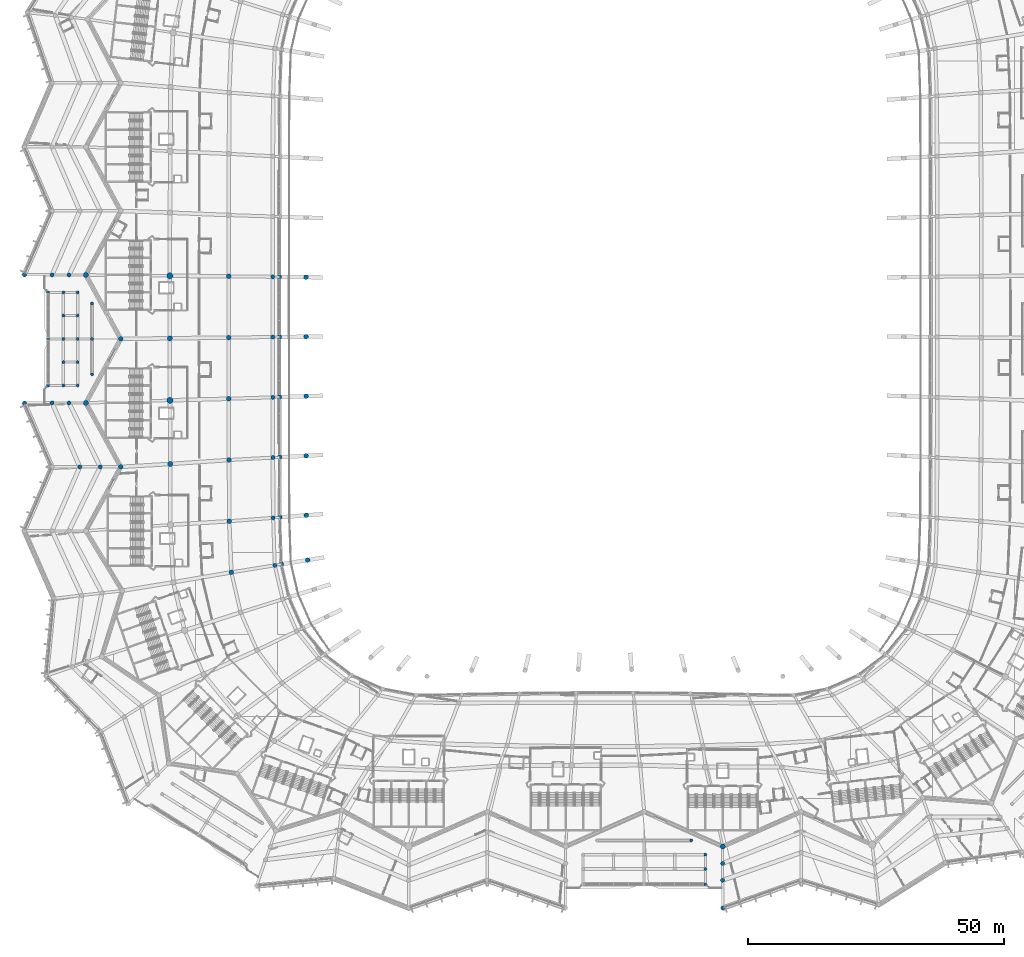
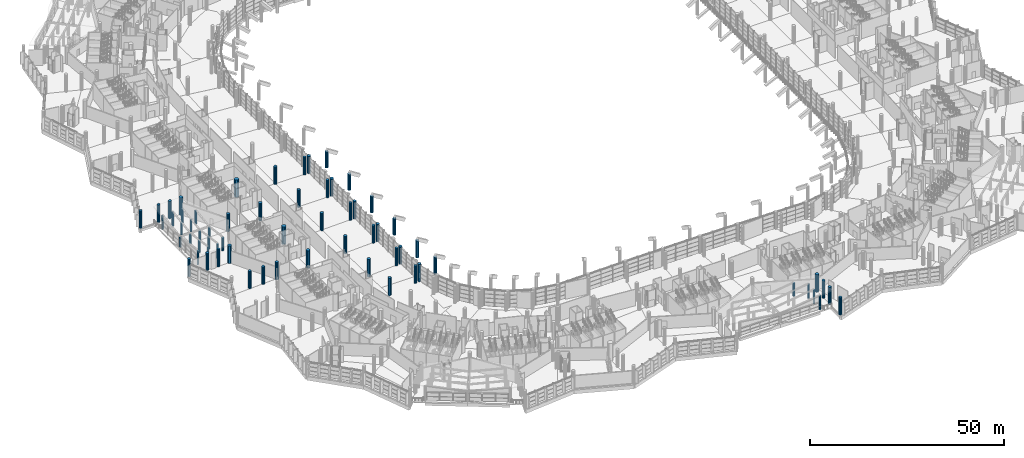
# One storey, part 2 of 271: 64 columns.
"""IFC4 building model written with IfcOpenShell, lengths in metres."""

import ifcopenshell
import ifcopenshell.guid

model = None  # the IFC model being written
_history = None  # IfcOwnerHistory: only IFC2X3 demands one
_inside = {}  # id of a spatial element -> (the spatial element, [elements in it])
_under = {}  # id of a project, library or spatial element -> (it, [spatial elements below it])
_declared = {}  # id of a project -> (the project, [libraries it declares])
_typed = {}  # id of a type object -> (the type object, [elements of that type])
_made_of = {}  # id of a material, layer set ... -> (it, [elements and type objects made of it])


def new_model(schema):
    """Start an empty IFC model of exactly this schema.

    Asked for "IFC4X3", IfcOpenShell would pick the latest addendum, in which some entities
    have other attributes; the version numbers below select the first issue.
    IFC2X3 requires an IfcOwnerHistory on every rooted entity: one is made here for all.
    """
    global model, _history
    if schema == "IFC4X3":
        model = ifcopenshell.file(schema_version=(4, 3, 0, 0))
    else:
        model = ifcopenshell.file(schema=schema)
    _inside.clear()
    _under.clear()
    _declared.clear()
    _typed.clear()
    _made_of.clear()
    _history = None
    if model.schema == "IFC2X3":
        org = make("IfcOrganization", Name="unknown")
        user = make(
            "IfcPersonAndOrganization",
            ThePerson=make("IfcPerson", FamilyName="unknown"),
            TheOrganization=org,
        )
        app = make(
            "IfcApplication",
            ApplicationDeveloper=org,
            Version="unknown",
            ApplicationFullName="unknown",
            ApplicationIdentifier="unknown",
        )
        _history = make(
            "IfcOwnerHistory",
            OwningUser=user,
            OwningApplication=app,
            ChangeAction="ADDED",
            CreationDate=0,
        )
    return model


def make(cls, **values):
    """One entity of the class cls with the attributes given. An attribute that is None is left unset."""
    return model.create_entity(
        cls, **{name: value for name, value in values.items() if value is not None}
    )


def rooted(cls, **values):
    """An entity with a GlobalId (a new one), such as an element, a storey or a relation."""
    return make(cls, GlobalId=ifcopenshell.guid.new(), OwnerHistory=_history, **values)


def si_unit(unit_type, name, prefix=None):
    """IfcSIUnit, for example si_unit("LENGTHUNIT", "METRE", prefix="MILLI")."""
    return make("IfcSIUnit", UnitType=unit_type, Prefix=prefix, Name=name)


def assignment(units):
    """IfcUnitAssignment: the units of a project."""
    return None if units is None else make("IfcUnitAssignment", Units=units)


def point(xyz):
    """IfcCartesianPoint."""
    return None if xyz is None else make("IfcCartesianPoint", Coordinates=xyz)


def direction(xyz):
    """IfcDirection."""
    return None if xyz is None else make("IfcDirection", DirectionRatios=xyz)


def frame(location, z_axis=None, x_axis=None):
    """IfcAxis2Placement3D, a coordinate frame: its origin and axes. An axis left out is left unset."""
    return make(
        "IfcAxis2Placement3D",
        Location=point(location),
        Axis=direction(z_axis),
        RefDirection=direction(x_axis),
    )


def frame_2d(location, x_axis=None):
    """IfcAxis2Placement2D, a coordinate frame in the plane: its origin and x axis."""
    return make(
        "IfcAxis2Placement2D", Location=point(location), RefDirection=direction(x_axis)
    )


def origin():
    """The frame at (0, 0, 0) with its axes left unset."""
    return frame((0.0, 0.0, 0.0))


def origin_2d():
    """The frame at (0, 0) in the plane with its x axis left unset."""
    return frame_2d((0.0, 0.0))


def place(relative_to, where):
    """IfcLocalPlacement: puts the frame where relative to a parent placement (None: the world)."""
    return make(
        "IfcLocalPlacement", PlacementRelTo=relative_to, RelativePlacement=where
    )


def context(
    kind, dimensions, precision=None, world=None, true_north=None, identifier=None
):
    """IfcGeometricRepresentationContext, for example the 3D "Model" context."""
    return make(
        "IfcGeometricRepresentationContext",
        ContextIdentifier=identifier,
        ContextType=kind,
        CoordinateSpaceDimension=dimensions,
        Precision=precision,
        WorldCoordinateSystem=world,
        TrueNorth=true_north,
    )


def subcontext(parent, identifier, kind, view, scale=None):
    """IfcGeometricRepresentationSubContext, for example "Body" below "Model"."""
    return make(
        "IfcGeometricRepresentationSubContext",
        ContextIdentifier=identifier,
        ContextType=kind,
        ParentContext=parent,
        TargetScale=scale,
        TargetView=view,
    )


def project(units=None, contexts=None):
    """IfcProject with its units and contexts."""
    return rooted(
        "IfcProject",
        Name="project",
        RepresentationContexts=contexts,
        UnitsInContext=assignment(units),
    )


def spatial(cls, under=None, at=None, **own):
    """A site, building, storey or space (cls), placed at a placement, below another one or the project."""
    s = rooted(cls, ObjectPlacement=at, **own)
    if under is not None:
        _under.setdefault(under.id(), (under, []))[1].append(s)
    return s


def profile(cls, at=None, kind="AREA", **sizes):
    """A parametric profile (cls). Its sizes go by their IFC names, for example OverallWidth=200.0."""
    return make(cls, ProfileType=kind, Position=at, **sizes)


def circle(**sizes):
    """IfcCircleProfileDef."""
    return profile("IfcCircleProfileDef", **sizes)


def extrude(swept, where, along, depth):
    """IfcExtrudedAreaSolid: the profile swept, set in the frame where, extruded along a direction by depth."""
    return make(
        "IfcExtrudedAreaSolid",
        SweptArea=swept,
        Position=where,
        ExtrudedDirection=direction(along),
        Depth=depth,
    )


def shape(context_of_items, identifier, shape_type, items):
    """IfcShapeRepresentation: the items that make up one representation, for example the "Body"."""
    return make(
        "IfcShapeRepresentation",
        ContextOfItems=context_of_items,
        RepresentationIdentifier=identifier,
        RepresentationType=shape_type,
        Items=items,
    )


def material(Name=None, Category=None):
    """IfcMaterial."""
    return make("IfcMaterial", Name=Name, Category=Category)


def material_profile(
    of_material, cross_section, Name=None, Category=None, Priority=None
):
    """IfcMaterialProfile: a cross section and its material."""
    return make(
        "IfcMaterialProfile",
        Name=Name,
        Material=of_material,
        Profile=cross_section,
        Priority=Priority,
        Category=Category,
    )


def profile_set(profiles, Name=None, composite=None):
    """IfcMaterialProfileSet."""
    return make(
        "IfcMaterialProfileSet",
        Name=Name,
        MaterialProfiles=profiles,
        CompositeProfile=composite,
    )


def made_of(thing, what):
    """Note that an element or type object is made of a material, layer set ...; save() writes the relation."""
    if what is not None:
        _made_of.setdefault(what.id(), (what, []))[1].append(thing)
    return thing


def type_object(cls, material=None, **own):
    """A type object (cls), such as IfcWallType, which elements share."""
    return made_of(rooted(cls, **own), material)


def element(
    cls,
    number,
    at=None,
    inside=None,
    cuts=None,
    type_object=None,
    material=None,
    context=None,
    identifier="Body",
    shape_type=None,
    held_by="IfcProductDefinitionShape",
    body=None,
    shapes=None,
    **own,
):
    """One element of the class cls, such as IfcWall. Its Tag is "e" and its number.

    at: its placement. inside: the storey or other place that contains it. cuts: it is an
    opening in that element (IfcRelVoidsElement). A single representation is given by context,
    identifier, shape_type and body (its items); several are given by shapes. held_by: the class
    of the entity that holds the representations. save() writes the other relations.
    """
    e = rooted(cls, Tag="e%d" % number, ObjectPlacement=at, **own)
    if body is not None:
        shapes = [shape(context, identifier, shape_type, body)]
    if shapes is not None:
        e.Representation = make(held_by, Representations=shapes)
    if inside is not None:
        _inside.setdefault(inside.id(), (inside, []))[1].append(e)
    if cuts is not None:
        rooted(
            "IfcRelVoidsElement", RelatingBuildingElement=cuts, RelatedOpeningElement=e
        )
    if type_object is not None:
        _typed.setdefault(type_object.id(), (type_object, []))[1].append(e)
    return made_of(e, material)


def aggregate(whole, parts):
    """IfcRelAggregates: a whole, such as a stair, and the parts it consists of."""
    return rooted("IfcRelAggregates", RelatingObject=whole, RelatedObjects=parts)


def save(model, path):
    """Write the relations noted so far, then the file.

    IfcRelAggregates (storeys below a building ...), IfcRelContainedInSpatialStructure (elements
    in a storey), IfcRelDefinesByType, IfcRelAssociatesMaterial and IfcRelDeclares: one each for
    every whole, place, type object, material and project.
    """
    for whole, parts in _under.values():
        aggregate(whole, parts)
    for where, things in _inside.values():
        rooted(
            "IfcRelContainedInSpatialStructure",
            RelatedElements=things,
            RelatingStructure=where,
        )
    for kind, things in _typed.values():
        rooted("IfcRelDefinesByType", RelatedObjects=things, RelatingType=kind)
    for what, things in _made_of.values():
        rooted("IfcRelAssociatesMaterial", RelatedObjects=things, RelatingMaterial=what)
    for by, libraries in _declared.values():
        rooted("IfcRelDeclares", RelatingContext=by, RelatedDefinitions=libraries)
    model.write(path)


model = new_model("IFC4")

# Units and contexts
model_context = context("Model", 3, precision=1e-05, world=origin(), true_north=direction((0.0, 1.0)))
body_context = subcontext(model_context, "Body", "Model", "MODEL_VIEW")
ifc_project = project(units=[si_unit("LENGTHUNIT", "METRE"), si_unit("AREAUNIT", "SQUARE_METRE"), si_unit("VOLUMEUNIT", "CUBIC_METRE"), si_unit("PLANEANGLEUNIT", "RADIAN"), si_unit("MASSUNIT", "GRAM", prefix="KILO")], contexts=[model_context])

# Site, building, storey
site_placement = place(None, origin())
site = spatial("IfcSite", under=ifc_project, at=site_placement, CompositionType="ELEMENT")
building_placement = place(site_placement, origin())
building = spatial("IfcBuilding", under=site, at=building_placement, Name="Meseta Stadium", CompositionType="ELEMENT")
storey_placement = place(building_placement, frame((0.0, 0.0, 6.5)))
storey = spatial("IfcBuildingStorey", under=building, at=storey_placement, Name="L01", CompositionType="ELEMENT", Elevation=6.5)

# Columns
ifc_material_1 = material(Name="Concrete C40/50", Category="concrete")
ifc_material_profile_1 = material_profile(ifc_material_1, circle(Radius=0.300048828125, at=origin_2d()), Name="RC D600")
ifc_profile_set_1 = profile_set([ifc_material_profile_1], Name="Concrete C40/50")
column_type_1 = type_object("IfcColumnType", Name="Gate column D600", PredefinedType="COLUMN", material=ifc_profile_set_1)
column_1_placement = place(storey_placement, frame((-100.199951171875, 0.66748046875, 0.0), z_axis=(0.0, 0.0, 1.0), x_axis=(1.0, 0.0, 0.0)))
element("IfcColumn", 1, at=column_1_placement, inside=storey, type_object=column_type_1, Name="Gate 5 column L01", PredefinedType="COLUMN", context=body_context, shape_type="SweptSolid", body=[
    extrude(circle(Radius=0.300048828125, at=origin_2d()), origin(), (0.0, 0.0, 1.0), 4.146484375),
])
column_2_placement = place(storey_placement, frame((-100.199951171875, -6.25, 0.0), z_axis=(0.0, 0.0, 1.0), x_axis=(1.0, 0.0, 0.0)))
element("IfcColumn", 2, at=column_2_placement, inside=storey, type_object=column_type_1, Name="Gate 5 column L01", PredefinedType="COLUMN", context=body_context, shape_type="SweptSolid", body=[
    extrude(circle(Radius=0.300048828125, at=origin_2d()), origin(), (0.0, 0.0, 1.0), 3.177978515625),
])
column_3_placement = place(storey_placement, frame((-100.199951171875, -13.16748046875, 0.0), z_axis=(0.0, 0.0, 1.0), x_axis=(1.0, 0.0, 0.0)))
element("IfcColumn", 3, at=column_3_placement, inside=storey, type_object=column_type_1, Name="Gate 5 column L01", PredefinedType="COLUMN", context=body_context, shape_type="SweptSolid", body=[
    extrude(circle(Radius=0.300048828125, at=origin_2d()), origin(), (0.0, 0.0, 1.0), 4.146484375),
])
column_4_placement = place(storey_placement, frame((-103.0, 2.85009765625, 0.0), z_axis=(0.0, 0.0, 1.0), x_axis=(1.0, 0.0, 0.0)))
element("IfcColumn", 4, at=column_4_placement, inside=storey, type_object=column_type_1, Name="Gate 5 column L01", PredefinedType="COLUMN", context=body_context, shape_type="SweptSolid", body=[
    extrude(circle(Radius=0.300048828125, at=origin_2d()), origin(), (0.0, 0.0, 1.0), 4.39599609375),
])
column_5_placement = place(storey_placement, frame((-103.0, -1.699951171875, 0.0), z_axis=(0.0, 0.0, 1.0), x_axis=(1.0, 0.0, 0.0)))
element("IfcColumn", 5, at=column_5_placement, inside=storey, type_object=column_type_1, Name="Gate 5 column L01", PredefinedType="COLUMN", context=body_context, shape_type="SweptSolid", body=[
    extrude(circle(Radius=0.300048828125, at=origin_2d()), origin(), (0.0, 0.0, 1.0), 3.759033203125),
])
column_6_placement = place(storey_placement, frame((-103.0, -6.25, 0.0), z_axis=(0.0, 0.0, 1.0), x_axis=(1.0, 0.0, 0.0)))
element("IfcColumn", 6, at=column_6_placement, inside=storey, type_object=column_type_1, Name="Gate 5 column L01", PredefinedType="COLUMN", context=body_context, shape_type="SweptSolid", body=[
    extrude(circle(Radius=0.300048828125, at=origin_2d()), origin(), (0.0, 0.0, 1.0), 3.1220703125),
])
column_7_placement = place(storey_placement, frame((-103.0, -10.800048828125, 0.0), z_axis=(0.0, 0.0, 1.0), x_axis=(1.0, 0.0, 0.0)))
element("IfcColumn", 7, at=column_7_placement, inside=storey, type_object=column_type_1, Name="Gate 5 column L01", PredefinedType="COLUMN", context=body_context, shape_type="SweptSolid", body=[
    extrude(circle(Radius=0.300048828125, at=origin_2d()), origin(), (0.0, 0.0, 1.0), 3.759033203125),
])
column_8_placement = place(storey_placement, frame((-103.0, -15.35009765625, 0.0), z_axis=(0.0, 0.0, 1.0), x_axis=(1.0, 0.0, 0.0)))
element("IfcColumn", 8, at=column_8_placement, inside=storey, type_object=column_type_1, Name="Gate 5 column L01", PredefinedType="COLUMN", context=body_context, shape_type="SweptSolid", body=[
    extrude(circle(Radius=0.300048828125, at=origin_2d()), origin(), (0.0, 0.0, 1.0), 4.39599609375),
])
column_9_placement = place(storey_placement, frame((-105.800048828125, 2.85009765625, 0.0), z_axis=(0.0, 0.0, 1.0), x_axis=(1.0, 0.0, 0.0)))
element("IfcColumn", 9, at=column_9_placement, inside=storey, type_object=column_type_1, Name="Gate 5 column L01", PredefinedType="COLUMN", context=body_context, shape_type="SweptSolid", body=[
    extrude(circle(Radius=0.300048828125, at=origin_2d()), origin(), (0.0, 0.0, 1.0), 4.340087890625),
])
column_10_placement = place(storey_placement, frame((-105.800048828125, -1.699951171875, 0.0), z_axis=(0.0, 0.0, 1.0), x_axis=(1.0, 0.0, 0.0)))
element("IfcColumn", 10, at=column_10_placement, inside=storey, type_object=column_type_1, Name="Gate 5 column L01", PredefinedType="COLUMN", context=body_context, shape_type="SweptSolid", body=[
    extrude(circle(Radius=0.300048828125, at=origin_2d()), origin(), (0.0, 0.0, 1.0), 3.702880859375),
])
column_11_placement = place(storey_placement, frame((-105.800048828125, -6.25, 0.0), z_axis=(0.0, 0.0, 1.0), x_axis=(1.0, 0.0, 0.0)))
element("IfcColumn", 11, at=column_11_placement, inside=storey, type_object=column_type_1, Name="Gate 5 column L01", PredefinedType="COLUMN", context=body_context, shape_type="SweptSolid", body=[
    extrude(circle(Radius=0.300048828125, at=origin_2d()), origin(), (0.0, 0.0, 1.0), 3.06591796875),
])
column_12_placement = place(storey_placement, frame((-105.800048828125, -10.800048828125, 0.0), z_axis=(0.0, 0.0, 1.0), x_axis=(1.0, 0.0, 0.0)))
element("IfcColumn", 12, at=column_12_placement, inside=storey, type_object=column_type_1, Name="Gate 5 column L01", PredefinedType="COLUMN", context=body_context, shape_type="SweptSolid", body=[
    extrude(circle(Radius=0.300048828125, at=origin_2d()), origin(), (0.0, 0.0, 1.0), 3.702880859375),
])
column_13_placement = place(storey_placement, frame((-105.800048828125, -15.35009765625, 0.0), z_axis=(0.0, 0.0, 1.0), x_axis=(1.0, 0.0, 0.0)))
element("IfcColumn", 13, at=column_13_placement, inside=storey, type_object=column_type_1, Name="Gate 5 column L01", PredefinedType="COLUMN", context=body_context, shape_type="SweptSolid", body=[
    extrude(circle(Radius=0.300048828125, at=origin_2d()), origin(), (0.0, 0.0, 1.0), 4.340087890625),
])
column_14_placement = place(storey_placement, frame((-108.800048828125, 2.85009765625, 0.0), z_axis=(0.0, 0.0, 1.0), x_axis=(1.0, 0.0, 0.0)))
element("IfcColumn", 14, at=column_14_placement, inside=storey, type_object=column_type_1, Name="Gate 5 column L01", PredefinedType="COLUMN", context=body_context, shape_type="SweptSolid", body=[
    extrude(circle(Radius=0.300048828125, at=origin_2d()), origin(), (0.0, 0.0, 1.0), 4.280029296875),
])
column_15_placement = place(storey_placement, frame((-108.800048828125, -6.25, 0.0), z_axis=(0.0, 0.0, 1.0), x_axis=(1.0, 0.0, 0.0)))
element("IfcColumn", 15, at=column_15_placement, inside=storey, type_object=column_type_1, Name="Gate 5 column L01", PredefinedType="COLUMN", context=body_context, shape_type="SweptSolid", body=[
    extrude(circle(Radius=0.300048828125, at=origin_2d()), origin(), (0.0, 0.0, 1.0), 3.006103515625),
])
column_16_placement = place(storey_placement, frame((-108.800048828125, -15.35009765625, 0.0), z_axis=(0.0, 0.0, 1.0), x_axis=(1.0, 0.0, 0.0)))
element("IfcColumn", 16, at=column_16_placement, inside=storey, type_object=column_type_1, Name="Gate 5 column L01", PredefinedType="COLUMN", context=body_context, shape_type="SweptSolid", body=[
    extrude(circle(Radius=0.300048828125, at=origin_2d()), origin(), (0.0, 0.0, 1.0), 4.280029296875),
])
column_17_placement = place(storey_placement, frame((16.85009765625, -104.199951171875, 0.0), z_axis=(0.0, 0.0, 1.0), x_axis=(1.0, 0.0, 0.0)))
element("IfcColumn", 17, at=column_17_placement, inside=storey, type_object=column_type_1, Name="Gate 7 column L01", PredefinedType="COLUMN", context=body_context, shape_type="SweptSolid", body=[
    extrude(circle(Radius=0.300048828125, at=origin_2d()), origin(), (0.0, 0.0, 1.0), 4.06689453125),
])
column_18_placement = place(storey_placement, frame((19.60009765625, -107.0, 0.0), z_axis=(0.0, 0.0, 1.0), x_axis=(1.0, 0.0, 0.0)))
element("IfcColumn", 18, at=column_18_placement, inside=storey, type_object=column_type_1, Name="Gate 7 column L01", PredefinedType="COLUMN", context=body_context, shape_type="SweptSolid", body=[
    extrude(circle(Radius=0.300048828125, at=origin_2d()), origin(), (0.0, 0.0, 1.0), 4.39599609375),
])
column_19_placement = place(storey_placement, frame((19.60009765625, -109.800048828125, 0.0), z_axis=(0.0, 0.0, 1.0), x_axis=(1.0, 0.0, 0.0)))
element("IfcColumn", 19, at=column_19_placement, inside=storey, type_object=column_type_1, Name="Gate 7 column L01", PredefinedType="COLUMN", context=body_context, shape_type="SweptSolid", body=[
    extrude(circle(Radius=0.300048828125, at=origin_2d()), origin(), (0.0, 0.0, 1.0), 4.340087890625),
])
column_20_placement = place(storey_placement, frame((19.60009765625, -112.800048828125, 0.0), z_axis=(0.0, 0.0, 1.0), x_axis=(1.0, 0.0, 0.0)))
element("IfcColumn", 20, at=column_20_placement, inside=storey, type_object=column_type_1, Name="Gate 7 column L01", PredefinedType="COLUMN", context=body_context, shape_type="SweptSolid", body=[
    extrude(circle(Radius=0.300048828125, at=origin_2d()), origin(), (0.0, 0.0, 1.0), 4.280029296875),
])
ifc_material_2 = material(Name="Concrete C40/50", Category="concrete")
ifc_material_profile_2 = material_profile(ifc_material_2, circle(Radius=0.5, at=origin_2d()), Name="RC D1000")
ifc_profile_set_2 = profile_set([ifc_material_profile_2], Name="Concrete C40/50")
column_type_2 = type_object("IfcColumnType", Name="RC column D1000", PredefinedType="COLUMN", material=ifc_profile_set_2)
for number, where, z_axis, x_axis, name in (
    (21, (-101.39990234375, 6.25, 0.0), (0.0, 0.0, 1.0), (1.0, 0.0, 0.0), "Column C10 L01 frame 32 line R"),
    (22, (-84.9970703125, -6.13720703125, 0.0), (0.0, 0.0, 1.0), (1.0, 0.0, 0.0), "Column C10 L01 frame 33 line P"),
    (23, (-101.39990234375, -18.75, 0.0), (0.0, 0.0, 1.0), (1.0, 0.0, 0.0), "Column C10 L01 frame 34 line R"),
    (24, (-84.92529296875, -30.681640625, 0.0), (0.0, 0.0, 1.0), (1.0, 0.0, 0.0), "Column C10 L01 frame 35 line P"),
    (25, (23.0, -105.39990234375, 0.0), (0.0, 0.0, 1.0), (1.0, 0.0, 0.0), "Column C10 L01 frame 48 line R"),
):
    element("IfcColumn", number, at=place(storey_placement, frame(where, z_axis=z_axis, x_axis=x_axis)), inside=storey, type_object=column_type_2, Name=name, PredefinedType="COLUMN", context=body_context, shape_type="SweptSolid", body=[
        extrude(circle(Radius=0.5, at=origin_2d()), origin(), (0.0, 0.0, 1.0), 5.5),
    ])
ifc_material_3 = material(Name="Concrete C40/50", Category="concrete")
ifc_material_profile_3 = material_profile(ifc_material_3, circle(Radius=0.60009765625, at=origin_2d()), Name="RC D1200")
ifc_profile_set_3 = profile_set([ifc_material_profile_3], Name="Concrete C40/50")
column_type_3 = type_object("IfcColumnType", Name="RC column D1200", PredefinedType="COLUMN", material=ifc_profile_set_3)
for number, where, z_axis, x_axis, name in (
    (26, (-84.99755859375, 6.081298828125, 0.0), (0.0, 0.0, 1.0), (1.0, 0.0, 0.0), "Column C12 L01 frame 32 line P"),
    (27, (-84.978515625, -18.24365234375, 0.0), (0.0, 0.0, 1.0), (1.0, 0.0, 0.0), "Column C12 L01 frame 34 line P"),
):
    element("IfcColumn", number, at=place(storey_placement, frame(where, z_axis=z_axis, x_axis=x_axis)), inside=storey, type_object=column_type_3, Name=name, PredefinedType="COLUMN", context=body_context, shape_type="SweptSolid", body=[
        extrude(circle(Radius=0.60009765625, at=origin_2d()), origin(), (0.0, 0.0, 1.0), 5.5),
    ])
ifc_material_4 = material(Name="Concrete C40/50", Category="concrete")
ifc_material_profile_4 = material_profile(ifc_material_4, circle(Radius=0.39990234375, at=origin_2d()), Name="RC D800")
ifc_profile_set_4 = profile_set([ifc_material_profile_4], Name="Concrete C40/50")
column_type_4 = type_object("IfcColumnType", Name="RC column D800", PredefinedType="COLUMN", material=ifc_profile_set_4)
for number, where, z_axis, x_axis, name in (
    (28, (-64.898681640625, 5.886962890625, 0.0), (0.0, 0.0, 1.0), (1.0, 0.0, 0.0), "Column C8 L01 frame 32 line D"),
    (29, (-64.898681640625, -5.886962890625, 0.0), (0.0, 0.0, 1.0), (1.0, 0.0, 0.0), "Column C8 L01 frame 33 line D"),
    (30, (-64.886962890625, -17.66064453125, 0.0), (0.0, 0.0, 1.0), (1.0, 0.0, 0.0), "Column C8 L01 frame 34 line D"),
    (31, (-64.8642578125, -29.433349609375, 0.0), (0.0, 0.0, 1.0), (1.0, 0.0, 0.0), "Column C8 L01 frame 35 line D"),
    (32, (-64.829833984375, -41.2041015625, 0.0), (0.0, 0.0, 1.0), (1.0, 0.0, 0.0), "Column C8 L01 frame 36 line D"),
    (33, (-64.501708984375, -50.479736328125, 0.0), (0.0, 0.0, 1.0), (1.0, 0.0, 0.0), "Column C8 L01 frame 37 line D"),
    (34, (-104.699951171875, 6.25, 0.0), (0.0, 0.0, 1.0), (1.0, 0.0, 0.0), "Ring column C8 L01 frame 32 line M"),
    (35, (-108.0, 6.25, 0.0), (0.0, 0.0, 1.0), (1.0, 0.0, 0.0), "Ring column C8 L01 frame 32 line Q"),
    (36, (-113.39990234375, 6.25, 0.0), (0.0, 0.0, 1.0), (1.0, 0.0, 0.0), "Ring column C8 L01 frame 32 line O"),
    (37, (-104.699951171875, -18.75, 0.0), (0.0, 0.0, 1.0), (1.0, 0.0, 0.0), "Ring column C8 L01 frame 34 line M"),
    (38, (-108.0, -18.75, 0.0), (0.0, 0.0, 1.0), (1.0, 0.0, 0.0), "Ring column C8 L01 frame 34 line Q"),
    (39, (-113.39990234375, -18.75, 0.0), (0.0, 0.0, 1.0), (1.0, 0.0, 0.0), "Ring column C8 L01 frame 34 line O"),
    (40, (-98.60009765625, -31.25, 0.0), (0.0, 0.0, 1.0), (1.0, 0.0, 0.0), "Ring column C8 L01 frame 35 line M"),
    (41, (-102.60009765625, -31.25, 0.0), (0.0, 0.0, 1.0), (1.0, 0.0, 0.0), "Ring column C8 L01 frame 35 line Q"),
    (42, (23.0, -108.699951171875, 0.0), (0.0, 0.0, 1.0), (1.0, 0.0, 0.0), "Ring column C8 L01 frame 48 line M"),
    (43, (23.0, -112.0, 0.0), (0.0, 0.0, 1.0), (1.0, 0.0, 0.0), "Ring column C8 L01 frame 48 line Q"),
    (44, (23.0, -117.39990234375, 0.0), (0.0, 0.0, 1.0), (1.0, 0.0, 0.0), "Ring column C8 L01 frame 48 line O"),
):
    element("IfcColumn", number, at=place(storey_placement, frame(where, z_axis=z_axis, x_axis=x_axis)), inside=storey, type_object=column_type_4, Name=name, PredefinedType="COLUMN", context=body_context, shape_type="SweptSolid", body=[
        extrude(circle(Radius=0.39990234375, at=origin_2d()), origin(), (0.0, 0.0, 1.0), 5.5),
    ])
ifc_material_5 = material(Name="Concrete C40/50", Category="concrete")
ifc_material_profile_5 = material_profile(ifc_material_5, circle(Radius=0.449951171875, at=origin_2d()), Name="RC D900")
ifc_profile_set_5 = profile_set([ifc_material_profile_5], Name="Concrete C40/50")
column_type_5 = type_object("IfcColumnType", Name="RC column D900", PredefinedType="COLUMN", material=ifc_profile_set_5)
column_21_placement = place(storey_placement, frame((-58.39892578125, 5.815673828125, 0.0), z_axis=(0.0, 0.0, 1.0), x_axis=(1.0, 0.0, 0.0)))
element("IfcColumn", 45, at=column_21_placement, inside=storey, type_object=column_type_5, Name="Column C9 L01 frame 32 line U", PredefinedType="COLUMN", context=body_context, shape_type="SweptSolid", body=[
    extrude(circle(Radius=0.449951171875, at=origin_2d()), origin(), (0.0, 0.0, 1.0), 5.064208984375),
])
for number, where, z_axis, x_axis, name in (
    (46, (-63.5986328125, 5.872802734375, 0.0), (0.0, 0.0, 1.0), (1.0, 0.0, 0.0), "Column C9 L01 frame 32 line C"),
    (47, (-73.498046875, 5.9814453125, 0.0), (0.0, 0.0, 1.0), (1.0, 0.0, 0.0), "Column C9 L01 frame 32 line E"),
):
    element("IfcColumn", number, at=place(storey_placement, frame(where, z_axis=z_axis, x_axis=x_axis)), inside=storey, type_object=column_type_5, Name=name, PredefinedType="COLUMN", context=body_context, shape_type="SweptSolid", body=[
        extrude(circle(Radius=0.449951171875, at=origin_2d()), origin(), (0.0, 0.0, 1.0), 5.5),
    ])
column_22_placement = place(storey_placement, frame((-58.39892578125, -5.815673828125, 0.0), z_axis=(0.0, 0.0, 1.0), x_axis=(1.0, 0.0, 0.0)))
element("IfcColumn", 48, at=column_22_placement, inside=storey, type_object=column_type_5, Name="Column C9 L01 frame 33 line U", PredefinedType="COLUMN", context=body_context, shape_type="SweptSolid", body=[
    extrude(circle(Radius=0.449951171875, at=origin_2d()), origin(), (0.0, 0.0, 1.0), 5.064208984375),
])
for number, where, z_axis, x_axis, name in (
    (49, (-63.5986328125, -5.872802734375, 0.0), (0.0, 0.0, 1.0), (1.0, 0.0, 0.0), "Column C9 L01 frame 33 line C"),
    (50, (-73.498046875, -5.9814453125, 0.0), (0.0, 0.0, 1.0), (1.0, 0.0, 0.0), "Column C9 L01 frame 33 line E"),
    (51, (-94.60009765625, -6.25, 0.0), (0.0, 0.0, 1.0), (1.0, 0.0, 0.0), "Column C9 L01 frame 33 line R"),
):
    element("IfcColumn", number, at=place(storey_placement, frame(where, z_axis=z_axis, x_axis=x_axis)), inside=storey, type_object=column_type_5, Name=name, PredefinedType="COLUMN", context=body_context, shape_type="SweptSolid", body=[
        extrude(circle(Radius=0.449951171875, at=origin_2d()), origin(), (0.0, 0.0, 1.0), 5.5),
    ])
column_23_placement = place(storey_placement, frame((-58.390625, -17.447021484375, 0.0), z_axis=(0.0, 0.0, 1.0), x_axis=(1.0, 0.0, 0.0)))
element("IfcColumn", 52, at=column_23_placement, inside=storey, type_object=column_type_5, Name="Column C9 L01 frame 34 line U", PredefinedType="COLUMN", context=body_context, shape_type="SweptSolid", body=[
    extrude(circle(Radius=0.449951171875, at=origin_2d()), origin(), (0.0, 0.0, 1.0), 5.14111328125),
])
for number, where, z_axis, x_axis, name in (
    (53, (-63.587890625, -17.617919921875, 0.0), (0.0, 0.0, 1.0), (1.0, 0.0, 0.0), "Column C9 L01 frame 34 line C"),
    (54, (-73.482421875, -17.943603515625, 0.0), (0.0, 0.0, 1.0), (1.0, 0.0, 0.0), "Column C9 L01 frame 34 line E"),
):
    element("IfcColumn", number, at=place(storey_placement, frame(where, z_axis=z_axis, x_axis=x_axis)), inside=storey, type_object=column_type_5, Name=name, PredefinedType="COLUMN", context=body_context, shape_type="SweptSolid", body=[
        extrude(circle(Radius=0.449951171875, at=origin_2d()), origin(), (0.0, 0.0, 1.0), 5.5),
    ])
column_24_placement = place(storey_placement, frame((-58.3740234375, -29.07763671875, 0.0), z_axis=(0.0, 0.0, 1.0), x_axis=(1.0, 0.0, 0.0)))
element("IfcColumn", 55, at=column_24_placement, inside=storey, type_object=column_type_5, Name="Column C9 L01 frame 35 line U", PredefinedType="COLUMN", context=body_context, shape_type="SweptSolid", body=[
    extrude(circle(Radius=0.449951171875, at=origin_2d()), origin(), (0.0, 0.0, 1.0), 5.21826171875),
])
for number, where, z_axis, x_axis, name in (
    (56, (-63.566162109375, -29.362060546875, 0.0), (0.0, 0.0, 1.0), (1.0, 0.0, 0.0), "Column C9 L01 frame 35 line C"),
    (57, (-73.451171875, -29.904052734375, 0.0), (0.0, 0.0, 1.0), (1.0, 0.0, 0.0), "Column C9 L01 frame 35 line E"),
    (58, (-94.60009765625, -31.25, 0.0), (0.0, 0.0, 1.0), (1.0, 0.0, 0.0), "Column C9 L01 frame 35 line R"),
):
    element("IfcColumn", number, at=place(storey_placement, frame(where, z_axis=z_axis, x_axis=x_axis)), inside=storey, type_object=column_type_5, Name=name, PredefinedType="COLUMN", context=body_context, shape_type="SweptSolid", body=[
        extrude(circle(Radius=0.449951171875, at=origin_2d()), origin(), (0.0, 0.0, 1.0), 5.5),
    ])
column_25_placement = place(storey_placement, frame((-58.348876953125, -40.70654296875, 0.0), z_axis=(0.0, 0.0, 1.0), x_axis=(1.0, 0.0, 0.0)))
element("IfcColumn", 59, at=column_25_placement, inside=storey, type_object=column_type_5, Name="Column C9 L01 frame 36 line U", PredefinedType="COLUMN", context=body_context, shape_type="SweptSolid", body=[
    extrude(circle(Radius=0.449951171875, at=origin_2d()), origin(), (0.0, 0.0, 1.0), 5.294921875),
])
for number, where, z_axis, x_axis, name in (
    (60, (-63.53369140625, -41.1044921875, 0.0), (0.0, 0.0, 1.0), (1.0, 0.0, 0.0), "Column C9 L01 frame 36 line C"),
    (61, (-73.40478515625, -41.8623046875, 0.0), (0.0, 0.0, 1.0), (1.0, 0.0, 0.0), "Column C9 L01 frame 36 line E"),
):
    element("IfcColumn", number, at=place(storey_placement, frame(where, z_axis=z_axis, x_axis=x_axis)), inside=storey, type_object=column_type_5, Name=name, PredefinedType="COLUMN", context=body_context, shape_type="SweptSolid", body=[
        extrude(circle(Radius=0.449951171875, at=origin_2d()), origin(), (0.0, 0.0, 1.0), 5.5),
    ])
column_26_placement = place(storey_placement, frame((-58.084228515625, -49.4462890625, 0.0), z_axis=(0.0, 0.0, 1.0), x_axis=(1.0, 0.0, 0.0)))
element("IfcColumn", 62, at=column_26_placement, inside=storey, type_object=column_type_5, Name="Column C9 L01 frame 37 line U", PredefinedType="COLUMN", context=body_context, shape_type="SweptSolid", body=[
    extrude(circle(Radius=0.449951171875, at=origin_2d()), origin(), (0.0, 0.0, 1.0), 5.302490234375),
])
for number, where, z_axis, x_axis, name in (
    (63, (-63.21826171875, -50.27294921875, 0.0), (0.0, 0.0, 1.0), (1.0, 0.0, 0.0), "Column C9 L01 frame 37 line C"),
    (64, (-72.9921875, -51.84716796875, 0.0), (0.0, 0.0, 1.0), (1.0, 0.0, 0.0), "Column C9 L01 frame 37 line E"),
):
    element("IfcColumn", number, at=place(storey_placement, frame(where, z_axis=z_axis, x_axis=x_axis)), inside=storey, type_object=column_type_5, Name=name, PredefinedType="COLUMN", context=body_context, shape_type="SweptSolid", body=[
        extrude(circle(Radius=0.449951171875, at=origin_2d()), origin(), (0.0, 0.0, 1.0), 5.5),
    ])

save(model, "model.ifc")
